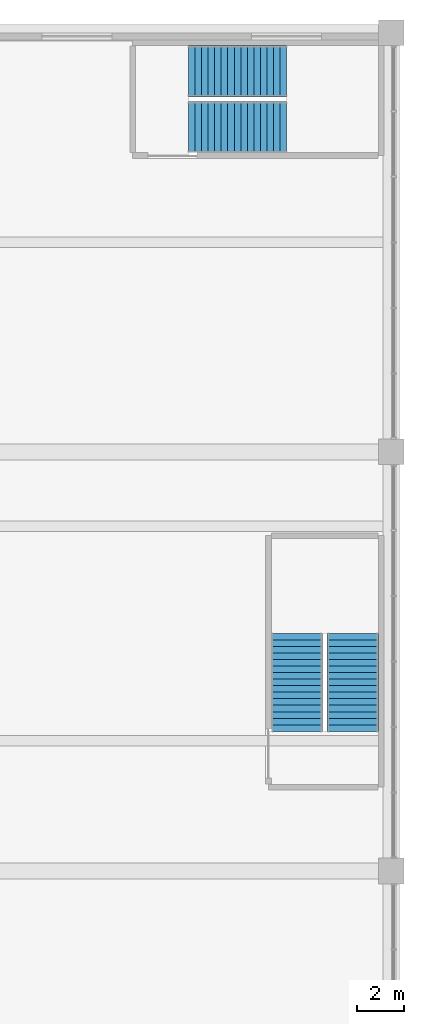
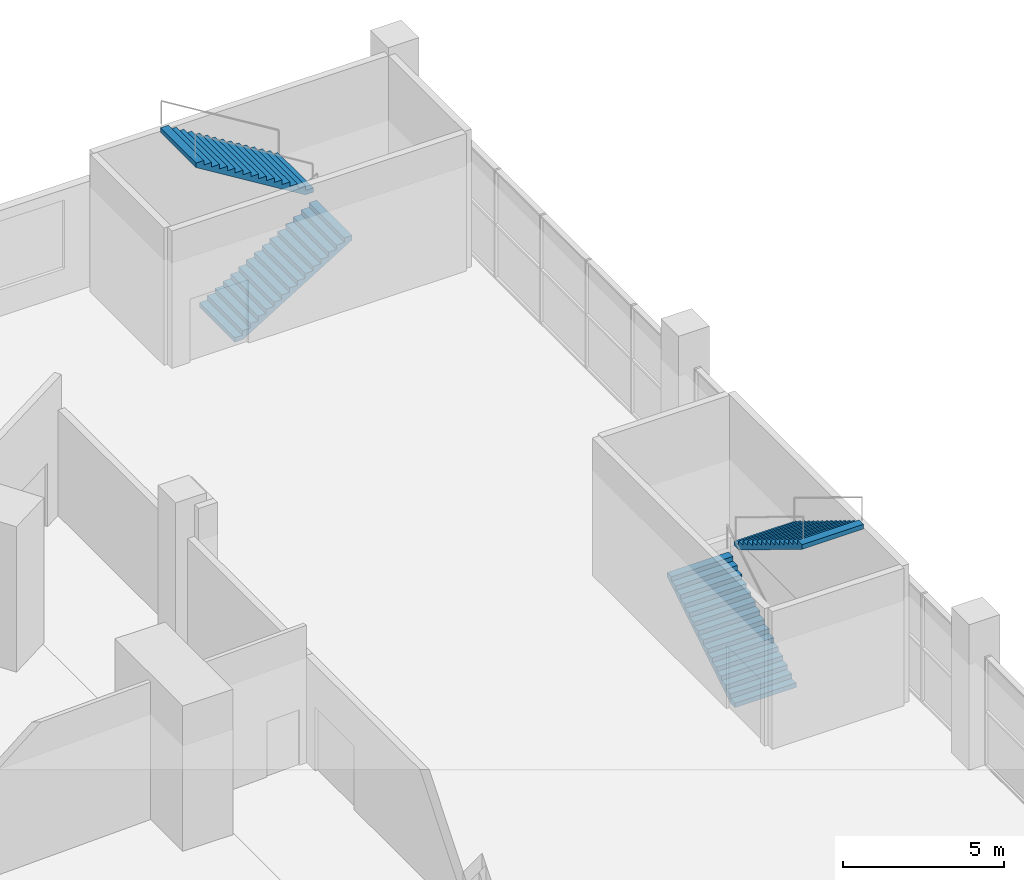
# One storey, part 14 of 16: 4 stair flights, 2 elements without a shape of their own.
"""IFC4 building model written with IfcOpenShell, lengths in metres."""

from ifc_helpers import new_model, si_unit, direction, frame, origin, place, context, subcontext, project, spatial, triangles, source, transform, mapped, material, type_object, element, aggregate, save


model = new_model("IFC4")

# Units and contexts
model_context = context("Model", 3, precision=1e-05, world=origin(), true_north=direction((0.0, 1.0)))
body_context = subcontext(model_context, "Body", "Model", "MODEL_VIEW")
ifc_project = project(units=[si_unit("LENGTHUNIT", "METRE"), si_unit("AREAUNIT", "SQUARE_METRE"), si_unit("VOLUMEUNIT", "CUBIC_METRE"), si_unit("PLANEANGLEUNIT", "RADIAN"), si_unit("MASSUNIT", "GRAM", prefix="KILO")], contexts=[model_context])

# Site, building, storey
site_placement = place(None, origin())
site = spatial("IfcSite", under=ifc_project, at=site_placement, CompositionType="ELEMENT")
building_placement = place(site_placement, origin())
building = spatial("IfcBuilding", under=site, at=building_placement, Name="Vanh Sen Convention Tower", CompositionType="ELEMENT")
storey_placement = place(building_placement, frame((0.0, 0.0, 7.5)))
storey = spatial("IfcBuildingStorey", under=building, at=storey_placement, Name="L01", CompositionType="ELEMENT", Elevation=7.5)

# Stair, stair flights
ifc_material = material(Name="Concrete C40/50", Category="concrete")
stair_type = type_object("IfcStairType", Name="Podium exit stair 2200", PredefinedType="HALF_TURN_STAIR", material=ifc_material)
stair_1_placement = place(storey_placement, origin())
stair_1 = element("IfcStair", 1, at=stair_1_placement, inside=storey, type_object=stair_type, Name="Exit stair PS1 L01", PredefinedType="HALF_TURN_STAIR")
stair_flight_type = type_object("IfcStairFlightType", Name="Podium exit stair flight 2200", PredefinedType="STRAIGHT", material=ifc_material)
shared_shape = source(origin(), body_context, "Body", "Tessellation", [
    triangles([(0.28662109375, 1.10009765625, 0.0), (0.0, 1.10009765625, 0.0), (0.0, 1.10009765625, 0.171875), (0.280029296875, 1.10009765625, 0.171875), (0.280029296875, 1.10009765625, 0.34375), (0.56005859375, 1.10009765625, 0.34375), (0.56005859375, 1.10009765625, 0.515625), (0.840087890625, 1.10009765625, 0.515625), (0.840087890625, 1.10009765625, 0.6875), (1.1201171875, 1.10009765625, 0.6875), (1.1201171875, 1.10009765625, 0.859375), (1.39990234375, 1.10009765625, 0.859375), (1.39990234375, 1.10009765625, 1.03125), (1.679931640625, 1.10009765625, 1.03125), (1.679931640625, 1.10009765625, 1.203125), (1.9599609375, 1.10009765625, 1.203125), (1.9599609375, 1.10009765625, 1.375), (2.239990234375, 1.10009765625, 1.375), (2.239990234375, 1.10009765625, 1.546875), (2.52001953125, 1.10009765625, 1.546875), (2.52001953125, 1.10009765625, 1.71875), (2.800048828125, 1.10009765625, 1.71875), (2.800048828125, 1.10009765625, 1.890625), (3.080078125, 1.10009765625, 1.890625), (3.080078125, 1.10009765625, 2.0625), (3.360107421875, 1.10009765625, 2.0625), (3.360107421875, 1.10009765625, 2.234375), (3.639892578125, 1.10009765625, 2.234375), (3.639892578125, 1.10009765625, 2.40625), (3.919921875, 1.10009765625, 2.40625), (3.919921875, 1.10009765625, 2.578125), (4.199951171875, 1.10009765625, 2.578125), (4.199951171875, 1.10009765625, 2.40234375), (0.28662109375, -1.10009765625, 0.0), (0.0, -1.10009765625, 0.0), (0.0, -1.10009765625, 0.171875), (0.280029296875, -1.10009765625, 0.171875), (0.280029296875, -1.10009765625, 0.34375), (0.56005859375, -1.10009765625, 0.34375), (0.56005859375, -1.10009765625, 0.515625), (0.840087890625, -1.10009765625, 0.515625), (0.840087890625, -1.10009765625, 0.6875), (1.1201171875, -1.10009765625, 0.6875), (1.1201171875, -1.10009765625, 0.859375), (1.39990234375, -1.10009765625, 0.859375), (1.39990234375, -1.10009765625, 1.03125), (1.679931640625, -1.10009765625, 1.03125), (1.679931640625, -1.10009765625, 1.203125), (1.9599609375, -1.10009765625, 1.203125), (1.9599609375, -1.10009765625, 1.375), (2.239990234375, -1.10009765625, 1.375), (2.239990234375, -1.10009765625, 1.546875), (2.52001953125, -1.10009765625, 1.546875), (2.52001953125, -1.10009765625, 1.71875), (2.800048828125, -1.10009765625, 1.71875), (2.800048828125, -1.10009765625, 1.890625), (3.080078125, -1.10009765625, 1.890625), (3.080078125, -1.10009765625, 2.0625), (3.360107421875, -1.10009765625, 2.0625), (3.360107421875, -1.10009765625, 2.234375), (3.639892578125, -1.10009765625, 2.234375), (3.639892578125, -1.10009765625, 2.40625), (3.919921875, -1.10009765625, 2.40625), (3.919921875, -1.10009765625, 2.578125), (4.199951171875, -1.10009765625, 2.578125), (4.199951171875, -1.10009765625, 2.40234375), (0.0, 0.0439453125, 0.0), (0.0, 0.04296875, 0.0), (0.0, 0.0419921875, 0.0), (0.0, 0.04052734375, 0.0), (0.0, 0.03955078125, 0.0), (0.0, 0.03857421875, 0.0), (0.0, 0.03759765625, 0.0), (0.0, 0.0361328125, 0.0), (0.0, 0.03515625, 0.0), (0.0, 0.0341796875, 0.0), (0.0, 0.033203125, 0.0), (0.0, 0.03173828125, 0.0), (0.0, 0.03076171875, 0.0), (0.0, 0.02978515625, 0.0), (0.0, 0.02880859375, 0.0), (0.0, 0.02734375, 0.0), (0.0, 0.0263671875, 0.0), (0.0, 0.025390625, 0.0), (0.0, 0.0244140625, 0.0), (0.0, 0.02294921875, 0.0), (0.0, 0.02197265625, 0.0), (0.0, 0.02099609375, 0.0), (0.0, 0.02001953125, 0.0), (0.0, 0.0185546875, 0.0), (0.0, 0.017578125, 0.0), (0.0, 0.0166015625, 0.0), (0.0, 0.015625, 0.0), (0.0, 0.01416015625, 0.0), (0.0, 0.01318359375, 0.0), (0.0, 0.01220703125, 0.0), (0.0, 0.01123046875, 0.0), (0.0, 0.009765625, 0.0), (0.0, 0.0087890625, 0.0), (0.0, 0.0078125, 0.0), (0.0, 0.0068359375, 0.0), (0.0, 0.00537109375, 0.0), (0.0, 0.00439453125, 0.0), (0.0, 0.00341796875, 0.0), (0.0, 0.00244140625, 0.0), (0.0, 0.0009765625, 0.0), (0.0, 0.0, 0.0), (0.0, -0.0009765625, 0.0), (0.0, -0.00244140625, 0.0), (0.0, -0.00341796875, 0.0), (0.0, -0.00439453125, 0.0), (0.0, -0.00537109375, 0.0), (0.0, -0.0068359375, 0.0), (0.0, -0.0078125, 0.0), (0.0, -0.0087890625, 0.0), (0.0, -0.009765625, 0.0), (0.0, -0.01123046875, 0.0), (0.0, -0.01220703125, 0.0), (0.0, -0.01318359375, 0.0), (0.0, -0.01416015625, 0.0), (0.0, -0.015625, 0.0), (0.0, -0.0166015625, 0.0), (0.0, -0.017578125, 0.0), (0.0, -0.0185546875, 0.0), (0.0, -0.02001953125, 0.0), (0.0, -0.02099609375, 0.0), (0.0, -0.02197265625, 0.0), (0.0, -0.02294921875, 0.0), (0.0, -0.0244140625, 0.0), (0.0, -0.025390625, 0.0), (0.0, -0.0263671875, 0.0), (0.0, -0.02734375, 0.0), (0.0, -0.02880859375, 0.0), (0.0, -0.02978515625, 0.0), (0.0, -0.03076171875, 0.0), (0.0, -0.03173828125, 0.0), (0.0, -0.033203125, 0.0), (0.0, -0.0341796875, 0.0), (0.0, -0.03515625, 0.0), (0.0, -0.0361328125, 0.0), (0.0, -0.03759765625, 0.0), (0.0, -0.03857421875, 0.0), (0.0, -0.03955078125, 0.0), (0.0, -0.04052734375, 0.0), (0.0, -0.0419921875, 0.0), (0.0, -0.04296875, 0.0), (0.0, -0.0439453125, 0.0), (0.0, 0.0439453125, 0.171875), (0.0, 0.04296875, 0.171875), (0.0, 0.0419921875, 0.171875), (0.0, 0.04052734375, 0.171875), (0.0, 0.03955078125, 0.171875), (0.0, 0.03857421875, 0.171875), (0.0, 0.03759765625, 0.171875), (0.0, 0.0361328125, 0.171875), (0.0, 0.03515625, 0.171875), (0.0, 0.0341796875, 0.171875), (0.0, 0.033203125, 0.171875), (0.0, 0.03173828125, 0.171875), (0.0, 0.03076171875, 0.171875), (0.0, 0.02978515625, 0.171875), (0.0, 0.02880859375, 0.171875), (0.0, 0.02734375, 0.171875), (0.0, 0.0263671875, 0.171875), (0.0, 0.025390625, 0.171875), (0.0, 0.0244140625, 0.171875), (0.0, 0.02294921875, 0.171875), (0.0, 0.02197265625, 0.171875), (0.0, 0.02099609375, 0.171875), (0.0, 0.02001953125, 0.171875), (0.0, 0.0185546875, 0.171875), (0.0, 0.017578125, 0.171875), (0.0, 0.0166015625, 0.171875), (0.0, 0.015625, 0.171875), (0.0, 0.01416015625, 0.171875), (0.0, 0.01318359375, 0.171875), (0.0, 0.01220703125, 0.171875), (0.0, 0.01123046875, 0.171875), (0.0, 0.009765625, 0.171875), (0.0, 0.0087890625, 0.171875), (0.0, 0.0078125, 0.171875), (0.0, 0.0068359375, 0.171875), (0.0, 0.00537109375, 0.171875), (0.0, 0.00439453125, 0.171875), (0.0, 0.00341796875, 0.171875), (0.0, 0.00244140625, 0.171875), (0.0, 0.0009765625, 0.171875), (0.0, 0.0, 0.171875), (0.0, -0.0009765625, 0.171875), (0.0, -0.00244140625, 0.171875), (0.0, -0.00341796875, 0.171875), (0.0, -0.00439453125, 0.171875), (0.0, -0.00537109375, 0.171875), (0.0, -0.0068359375, 0.171875), (0.0, -0.0078125, 0.171875), (0.0, -0.0087890625, 0.171875), (0.0, -0.009765625, 0.171875), (0.0, -0.01123046875, 0.171875), (0.0, -0.01220703125, 0.171875), (0.0, -0.01318359375, 0.171875), (0.0, -0.01416015625, 0.171875), (0.0, -0.015625, 0.171875), (0.0, -0.0166015625, 0.171875), (0.0, -0.017578125, 0.171875), (0.0, -0.0185546875, 0.171875), (0.0, -0.02001953125, 0.171875), (0.0, -0.02099609375, 0.171875), (0.0, -0.02197265625, 0.171875), (0.0, -0.02294921875, 0.171875), (0.0, -0.0244140625, 0.171875), (0.0, -0.025390625, 0.171875), (0.0, -0.0263671875, 0.171875), (0.0, -0.02734375, 0.171875), (0.0, -0.02880859375, 0.171875), (0.0, -0.02978515625, 0.171875), (0.0, -0.03076171875, 0.171875), (0.0, -0.03173828125, 0.171875), (0.0, -0.033203125, 0.171875), (0.0, -0.0341796875, 0.171875), (0.0, -0.03515625, 0.171875), (0.0, -0.0361328125, 0.171875), (0.0, -0.03759765625, 0.171875), (0.0, -0.03857421875, 0.171875), (0.0, -0.03955078125, 0.171875), (0.0, -0.04052734375, 0.171875), (0.0, -0.0419921875, 0.171875), (0.0, -0.04296875, 0.171875), (0.0, -0.0439453125, 0.171875), (0.280029296875, 0.0, 0.171875), (0.280029296875, 0.0, 0.34375), (0.56005859375, 0.0, 0.34375), (0.56005859375, 0.0, 0.515625), (0.840087890625, 0.0, 0.515625), (0.840087890625, 0.0, 0.6875), (1.1201171875, 0.0, 0.6875), (1.1201171875, 0.0, 0.859375), (1.39990234375, 0.0, 0.859375), (1.39990234375, 0.0, 1.03125), (1.679931640625, 0.0, 1.03125), (1.679931640625, 0.0, 1.203125), (1.9599609375, 0.0, 1.203125), (1.9599609375, 0.0, 1.375), (2.239990234375, 0.0, 1.375), (2.239990234375, 0.0, 1.546875), (2.52001953125, 0.0, 1.546875), (2.52001953125, 0.0, 1.71875), (2.800048828125, 0.0, 1.71875), (2.800048828125, 0.0, 1.890625), (3.080078125, 0.0, 1.890625), (3.080078125, 0.0, 2.0625), (3.360107421875, 0.0, 2.0625), (3.360107421875, 0.0, 2.234375), (3.639892578125, 0.0, 2.234375), (3.639892578125, 0.0, 2.40625), (3.919921875, 0.0, 2.40625), (3.919921875, 0.0, 2.578125), (4.199951171875, 0.0439453125, 2.578125), (4.199951171875, 0.04296875, 2.578125), (4.199951171875, 0.0419921875, 2.578125), (4.199951171875, 0.04052734375, 2.578125), (4.199951171875, 0.03955078125, 2.578125), (4.199951171875, 0.03857421875, 2.578125), (4.199951171875, 0.03759765625, 2.578125), (4.199951171875, 0.0361328125, 2.578125), (4.199951171875, 0.03515625, 2.578125), (4.199951171875, 0.0341796875, 2.578125), (4.199951171875, 0.033203125, 2.578125), (4.199951171875, 0.03173828125, 2.578125), (4.199951171875, 0.03076171875, 2.578125), (4.199951171875, 0.02978515625, 2.578125), (4.199951171875, 0.02880859375, 2.578125), (4.199951171875, 0.02734375, 2.578125), (4.199951171875, 0.0263671875, 2.578125), (4.199951171875, 0.025390625, 2.578125), (4.199951171875, 0.0244140625, 2.578125), (4.199951171875, 0.02294921875, 2.578125), (4.199951171875, 0.02197265625, 2.578125), (4.199951171875, 0.02099609375, 2.578125), (4.199951171875, 0.02001953125, 2.578125), (4.199951171875, 0.0185546875, 2.578125), (4.199951171875, 0.017578125, 2.578125), (4.199951171875, 0.0166015625, 2.578125), (4.199951171875, 0.015625, 2.578125), (4.199951171875, 0.01416015625, 2.578125), (4.199951171875, 0.01318359375, 2.578125), (4.199951171875, 0.01220703125, 2.578125), (4.199951171875, 0.01123046875, 2.578125), (4.199951171875, 0.009765625, 2.578125), (4.199951171875, 0.0087890625, 2.578125), (4.199951171875, 0.0078125, 2.578125), (4.199951171875, 0.0068359375, 2.578125), (4.199951171875, 0.00537109375, 2.578125), (4.199951171875, 0.00439453125, 2.578125), (4.199951171875, 0.00341796875, 2.578125), (4.199951171875, 0.00244140625, 2.578125), (4.199951171875, 0.0009765625, 2.578125), (4.199951171875, 0.0, 2.578125), (4.199951171875, -0.0009765625, 2.578125), (4.199951171875, -0.00244140625, 2.578125), (4.199951171875, -0.00341796875, 2.578125), (4.199951171875, -0.00439453125, 2.578125), (4.199951171875, -0.00537109375, 2.578125), (4.199951171875, -0.0068359375, 2.578125), (4.199951171875, -0.0078125, 2.578125), (4.199951171875, -0.0087890625, 2.578125), (4.199951171875, -0.009765625, 2.578125), (4.199951171875, -0.01123046875, 2.578125), (4.199951171875, -0.01220703125, 2.578125), (4.199951171875, -0.01318359375, 2.578125), (4.199951171875, -0.01416015625, 2.578125), (4.199951171875, -0.015625, 2.578125), (4.199951171875, -0.0166015625, 2.578125), (4.199951171875, -0.017578125, 2.578125), (4.199951171875, -0.0185546875, 2.578125), (4.199951171875, -0.02001953125, 2.578125), (4.199951171875, -0.02099609375, 2.578125), (4.199951171875, -0.02197265625, 2.578125), (4.199951171875, -0.02294921875, 2.578125), (4.199951171875, -0.0244140625, 2.578125), (4.199951171875, -0.025390625, 2.578125), (4.199951171875, -0.0263671875, 2.578125), (4.199951171875, -0.02734375, 2.578125), (4.199951171875, -0.02880859375, 2.578125), (4.199951171875, -0.02978515625, 2.578125), (4.199951171875, -0.03076171875, 2.578125), (4.199951171875, -0.03173828125, 2.578125), (4.199951171875, -0.033203125, 2.578125), (4.199951171875, -0.0341796875, 2.578125), (4.199951171875, -0.03515625, 2.578125), (4.199951171875, -0.0361328125, 2.578125), (4.199951171875, -0.03759765625, 2.578125), (4.199951171875, -0.03857421875, 2.578125), (4.199951171875, -0.03955078125, 2.578125), (4.199951171875, -0.04052734375, 2.578125), (4.199951171875, -0.0419921875, 2.578125), (4.199951171875, -0.04296875, 2.578125), (4.199951171875, -0.0439453125, 2.578125), (4.199951171875, 0.0439453125, 2.40234375), (4.199951171875, 0.04296875, 2.40234375), (4.199951171875, 0.0419921875, 2.40234375), (4.199951171875, 0.04052734375, 2.40234375), (4.199951171875, 0.03955078125, 2.40234375), (4.199951171875, 0.03857421875, 2.40234375), (4.199951171875, 0.03759765625, 2.40234375), (4.199951171875, 0.0361328125, 2.40234375), (4.199951171875, 0.03515625, 2.40234375), (4.199951171875, 0.0341796875, 2.40234375), (4.199951171875, 0.033203125, 2.40234375), (4.199951171875, 0.03173828125, 2.40234375), (4.199951171875, 0.03076171875, 2.40234375), (4.199951171875, 0.02978515625, 2.40234375), (4.199951171875, 0.02880859375, 2.40234375), (4.199951171875, 0.02734375, 2.40234375), (4.199951171875, 0.0263671875, 2.40234375), (4.199951171875, 0.025390625, 2.40234375), (4.199951171875, 0.0244140625, 2.40234375), (4.199951171875, 0.02294921875, 2.40234375), (4.199951171875, 0.02197265625, 2.40234375), (4.199951171875, 0.02099609375, 2.40234375), (4.199951171875, 0.02001953125, 2.40234375), (4.199951171875, 0.0185546875, 2.40234375), (4.199951171875, 0.017578125, 2.40234375), (4.199951171875, 0.0166015625, 2.40234375), (4.199951171875, 0.015625, 2.40234375), (4.199951171875, 0.01416015625, 2.40234375), (4.199951171875, 0.01318359375, 2.40234375), (4.199951171875, 0.01220703125, 2.40234375), (4.199951171875, 0.01123046875, 2.40234375), (4.199951171875, 0.009765625, 2.40234375), (4.199951171875, 0.0087890625, 2.40234375), (4.199951171875, 0.0078125, 2.40234375), (4.199951171875, 0.0068359375, 2.40234375), (4.199951171875, 0.00537109375, 2.40234375), (4.199951171875, 0.00439453125, 2.40234375), (4.199951171875, 0.00341796875, 2.40234375), (4.199951171875, 0.00244140625, 2.40234375), (4.199951171875, 0.0009765625, 2.40234375), (4.199951171875, 0.0, 2.40234375), (4.199951171875, -0.0009765625, 2.40234375), (4.199951171875, -0.00244140625, 2.40234375), (4.199951171875, -0.00341796875, 2.40234375), (4.199951171875, -0.00439453125, 2.40234375), (4.199951171875, -0.00537109375, 2.40234375), (4.199951171875, -0.0068359375, 2.40234375), (4.199951171875, -0.0078125, 2.40234375), (4.199951171875, -0.0087890625, 2.40234375), (4.199951171875, -0.009765625, 2.40234375), (4.199951171875, -0.01123046875, 2.40234375), (4.199951171875, -0.01220703125, 2.40234375), (4.199951171875, -0.01318359375, 2.40234375), (4.199951171875, -0.01416015625, 2.40234375), (4.199951171875, -0.015625, 2.40234375), (4.199951171875, -0.0166015625, 2.40234375), (4.199951171875, -0.017578125, 2.40234375), (4.199951171875, -0.0185546875, 2.40234375), (4.199951171875, -0.02001953125, 2.40234375), (4.199951171875, -0.02099609375, 2.40234375), (4.199951171875, -0.02197265625, 2.40234375), (4.199951171875, -0.02294921875, 2.40234375), (4.199951171875, -0.0244140625, 2.40234375), (4.199951171875, -0.025390625, 2.40234375), (4.199951171875, -0.0263671875, 2.40234375), (4.199951171875, -0.02734375, 2.40234375), (4.199951171875, -0.02880859375, 2.40234375), (4.199951171875, -0.02978515625, 2.40234375), (4.199951171875, -0.03076171875, 2.40234375), (4.199951171875, -0.03173828125, 2.40234375), (4.199951171875, -0.033203125, 2.40234375), (4.199951171875, -0.0341796875, 2.40234375), (4.199951171875, -0.03515625, 2.40234375), (4.199951171875, -0.0361328125, 2.40234375), (4.199951171875, -0.03759765625, 2.40234375), (4.199951171875, -0.03857421875, 2.40234375), (4.199951171875, -0.03955078125, 2.40234375), (4.199951171875, -0.04052734375, 2.40234375), (4.199951171875, -0.0419921875, 2.40234375), (4.199951171875, -0.04296875, 2.40234375), (4.199951171875, -0.0439453125, 2.40234375), (0.28662109375, 0.0, 0.0)], [[1, 2, 3], [1, 3, 4], [1, 4, 5], [1, 5, 6], [6, 7, 8], [1, 6, 8], [8, 9, 10], [1, 8, 10], [10, 11, 12], [1, 10, 12], [12, 13, 14], [1, 12, 14], [14, 15, 16], [1, 14, 16], [16, 17, 18], [1, 16, 18], [18, 19, 20], [1, 18, 20], [20, 21, 22], [1, 20, 22], [22, 23, 24], [1, 22, 24], [24, 25, 26], [1, 24, 26], [26, 27, 28], [1, 26, 28], [28, 29, 30], [1, 28, 30], [30, 31, 32], [1, 30, 32], [32, 33, 1], [34, 36, 35], [34, 37, 36], [34, 38, 37], [34, 39, 38], [39, 41, 40], [34, 41, 39], [41, 43, 42], [34, 43, 41], [43, 45, 44], [34, 45, 43], [45, 47, 46], [34, 47, 45], [47, 49, 48], [34, 49, 47], [49, 51, 50], [34, 51, 49], [51, 53, 52], [34, 53, 51], [53, 55, 54], [34, 55, 53], [55, 57, 56], [34, 57, 55], [57, 59, 58], [34, 59, 57], [59, 61, 60], [34, 61, 59], [61, 63, 62], [34, 63, 61], [63, 65, 64], [34, 65, 63], [65, 34, 66], [2, 148, 3], [2, 67, 148], [67, 149, 148], [67, 68, 149], [68, 150, 149], [68, 69, 150], [69, 151, 150], [69, 70, 151], [70, 152, 151], [70, 71, 152], [71, 153, 152], [71, 72, 153], [72, 154, 153], [72, 73, 154], [73, 155, 154], [73, 74, 155], [74, 156, 155], [74, 75, 156], [75, 157, 156], [75, 76, 157], [76, 158, 157], [76, 77, 158], [77, 159, 158], [77, 78, 159], [78, 160, 159], [78, 79, 160], [79, 161, 160], [79, 80, 161], [80, 162, 161], [80, 81, 162], [81, 163, 162], [81, 82, 163], [82, 164, 163], [82, 83, 164], [83, 165, 164], [83, 84, 165], [84, 166, 165], [84, 85, 166], [85, 167, 166], [85, 86, 167], [86, 168, 167], [86, 87, 168], [87, 169, 168], [87, 88, 169], [88, 170, 169], [88, 89, 170], [89, 171, 170], [89, 90, 171], [90, 172, 171], [90, 91, 172], [91, 173, 172], [91, 92, 173], [92, 174, 173], [92, 93, 174], [93, 175, 174], [93, 94, 175], [94, 176, 175], [94, 95, 176], [95, 177, 176], [95, 96, 177], [96, 178, 177], [96, 97, 178], [97, 179, 178], [97, 98, 179], [98, 180, 179], [98, 99, 180], [99, 181, 180], [99, 100, 181], [100, 182, 181], [100, 101, 182], [101, 183, 182], [101, 102, 183], [102, 184, 183], [102, 103, 184], [103, 185, 184], [103, 104, 185], [104, 186, 185], [104, 105, 186], [105, 187, 186], [105, 106, 187], [106, 188, 187], [106, 107, 188], [107, 108, 188], [188, 108, 189], [108, 109, 189], [189, 109, 190], [109, 110, 190], [190, 110, 191], [110, 111, 191], [191, 111, 192], [111, 112, 192], [192, 112, 193], [112, 113, 193], [193, 113, 194], [113, 114, 194], [194, 114, 195], [114, 115, 195], [195, 115, 196], [115, 116, 196], [196, 116, 197], [116, 117, 197], [197, 117, 198], [117, 118, 198], [198, 118, 199], [118, 119, 199], [199, 119, 200], [119, 120, 200], [200, 120, 201], [120, 121, 201], [201, 121, 202], [121, 122, 202], [202, 122, 203], [122, 123, 203], [203, 123, 204], [123, 124, 204], [204, 124, 205], [124, 125, 205], [205, 125, 206], [125, 126, 206], [206, 126, 207], [126, 127, 207], [207, 127, 208], [127, 128, 208], [208, 128, 209], [128, 129, 209], [209, 129, 210], [129, 130, 210], [210, 130, 211], [130, 131, 211], [211, 131, 212], [131, 132, 212], [212, 132, 213], [132, 133, 213], [213, 133, 214], [133, 134, 214], [214, 134, 215], [134, 135, 215], [215, 135, 216], [135, 136, 216], [216, 136, 217], [136, 137, 217], [217, 137, 218], [137, 138, 218], [218, 138, 219], [138, 139, 219], [219, 139, 220], [139, 140, 220], [220, 140, 221], [140, 141, 221], [221, 141, 222], [141, 142, 222], [222, 142, 223], [142, 143, 223], [223, 143, 224], [143, 144, 224], [224, 144, 225], [144, 145, 225], [225, 145, 226], [145, 146, 226], [226, 146, 227], [146, 147, 227], [227, 147, 228], [147, 35, 228], [228, 35, 36], [4, 3, 148], [4, 148, 149], [4, 149, 150], [4, 150, 151], [4, 151, 152], [4, 152, 153], [4, 153, 154], [4, 154, 155], [4, 155, 156], [4, 156, 157], [4, 157, 158], [4, 158, 159], [4, 159, 160], [4, 160, 161], [4, 161, 162], [4, 162, 163], [4, 163, 164], [4, 164, 165], [4, 165, 166], [4, 166, 167], [4, 167, 168], [4, 168, 169], [4, 169, 170], [4, 170, 171], [4, 171, 172], [4, 172, 173], [4, 173, 174], [4, 174, 175], [4, 175, 176], [4, 176, 177], [4, 177, 178], [4, 178, 179], [4, 179, 180], [4, 180, 181], [4, 181, 182], [4, 182, 183], [4, 183, 184], [4, 184, 185], [4, 185, 186], [4, 186, 187], [4, 187, 188], [37, 188, 189], [37, 189, 190], [37, 190, 191], [37, 191, 192], [37, 192, 193], [37, 193, 194], [37, 194, 195], [37, 195, 196], [37, 196, 197], [37, 197, 198], [37, 198, 199], [37, 199, 200], [37, 200, 201], [37, 201, 202], [37, 202, 203], [37, 203, 204], [37, 204, 205], [37, 205, 206], [37, 206, 207], [37, 207, 208], [37, 208, 209], [37, 209, 210], [37, 210, 211], [37, 211, 212], [37, 212, 213], [37, 213, 214], [37, 214, 215], [37, 215, 216], [37, 216, 217], [37, 217, 218], [37, 218, 219], [37, 219, 220], [37, 220, 221], [37, 221, 222], [37, 222, 223], [37, 223, 224], [37, 224, 225], [37, 225, 226], [37, 226, 227], [37, 227, 228], [37, 228, 36], [4, 188, 229], [37, 229, 188], [4, 230, 5], [4, 229, 230], [229, 37, 230], [230, 37, 38], [5, 231, 6], [5, 230, 231], [230, 38, 231], [231, 38, 39], [6, 232, 7], [6, 231, 232], [231, 39, 232], [232, 39, 40], [7, 233, 8], [7, 232, 233], [232, 40, 233], [233, 40, 41], [8, 234, 9], [8, 233, 234], [233, 41, 234], [234, 41, 42], [9, 235, 10], [9, 234, 235], [234, 42, 235], [235, 42, 43], [10, 236, 11], [10, 235, 236], [235, 43, 236], [236, 43, 44], [11, 237, 12], [11, 236, 237], [236, 44, 237], [237, 44, 45], [12, 238, 13], [12, 237, 238], [237, 45, 238], [238, 45, 46], [13, 239, 14], [13, 238, 239], [238, 46, 239], [239, 46, 47], [14, 240, 15], [14, 239, 240], [239, 47, 240], [240, 47, 48], [15, 241, 16], [15, 240, 241], [240, 48, 241], [241, 48, 49], [16, 242, 17], [16, 241, 242], [241, 49, 242], [242, 49, 50], [17, 243, 18], [17, 242, 243], [242, 50, 243], [243, 50, 51], [18, 244, 19], [18, 243, 244], [243, 51, 244], [244, 51, 52], [19, 245, 20], [19, 244, 245], [244, 52, 245], [245, 52, 53], [20, 246, 21], [20, 245, 246], [245, 53, 246], [246, 53, 54], [21, 247, 22], [21, 246, 247], [246, 54, 247], [247, 54, 55], [22, 248, 23], [22, 247, 248], [247, 55, 248], [248, 55, 56], [23, 249, 24], [23, 248, 249], [248, 56, 249], [249, 56, 57], [24, 250, 25], [24, 249, 250], [249, 57, 250], [250, 57, 58], [25, 251, 26], [25, 250, 251], [250, 58, 251], [251, 58, 59], [26, 252, 27], [26, 251, 252], [251, 59, 252], [252, 59, 60], [27, 253, 28], [27, 252, 253], [252, 60, 253], [253, 60, 61], [28, 254, 29], [28, 253, 254], [253, 61, 254], [254, 61, 62], [29, 255, 30], [29, 254, 255], [254, 62, 255], [255, 62, 63], [30, 256, 31], [30, 255, 256], [255, 63, 256], [256, 63, 64], [31, 257, 32], [31, 258, 257], [31, 259, 258], [31, 260, 259], [31, 261, 260], [31, 262, 261], [31, 263, 262], [31, 264, 263], [31, 265, 264], [31, 266, 265], [31, 267, 266], [31, 268, 267], [31, 269, 268], [31, 270, 269], [31, 271, 270], [31, 272, 271], [31, 273, 272], [31, 274, 273], [31, 275, 274], [31, 276, 275], [31, 277, 276], [31, 278, 277], [31, 279, 278], [31, 280, 279], [31, 281, 280], [31, 282, 281], [31, 283, 282], [31, 284, 283], [31, 285, 284], [31, 286, 285], [31, 287, 286], [31, 288, 287], [31, 289, 288], [31, 290, 289], [31, 291, 290], [31, 292, 291], [31, 293, 292], [31, 294, 293], [31, 295, 294], [31, 296, 295], [31, 297, 296], [64, 298, 297], [64, 299, 298], [64, 300, 299], [64, 301, 300], [64, 302, 301], [64, 303, 302], [64, 304, 303], [64, 305, 304], [64, 306, 305], [64, 307, 306], [64, 308, 307], [64, 309, 308], [64, 310, 309], [64, 311, 310], [64, 312, 311], [64, 313, 312], [64, 314, 313], [64, 315, 314], [64, 316, 315], [64, 317, 316], [64, 318, 317], [64, 319, 318], [64, 320, 319], [64, 321, 320], [64, 322, 321], [64, 323, 322], [64, 324, 323], [64, 325, 324], [64, 326, 325], [64, 327, 326], [64, 328, 327], [64, 329, 328], [64, 330, 329], [64, 331, 330], [64, 332, 331], [64, 333, 332], [64, 334, 333], [64, 335, 334], [64, 336, 335], [64, 337, 336], [64, 65, 337], [31, 256, 297], [64, 297, 256], [32, 338, 33], [32, 257, 338], [257, 339, 338], [257, 258, 339], [258, 340, 339], [258, 259, 340], [259, 341, 340], [259, 260, 341], [260, 342, 341], [260, 261, 342], [261, 343, 342], [261, 262, 343], [262, 344, 343], [262, 263, 344], [263, 345, 344], [263, 264, 345], [264, 346, 345], [264, 265, 346], [265, 347, 346], [265, 266, 347], [266, 348, 347], [266, 267, 348], [267, 349, 348], [267, 268, 349], [268, 350, 349], [268, 269, 350], [269, 351, 350], [269, 270, 351], [270, 352, 351], [270, 271, 352], [271, 353, 352], [271, 272, 353], [272, 354, 353], [272, 273, 354], [273, 355, 354], [273, 274, 355], [274, 356, 355], [274, 275, 356], [275, 357, 356], [275, 276, 357], [276, 358, 357], [276, 277, 358], [277, 359, 358], [277, 278, 359], [278, 360, 359], [278, 279, 360], [279, 361, 360], [279, 280, 361], [280, 362, 361], [280, 281, 362], [281, 363, 362], [281, 282, 363], [282, 364, 363], [282, 283, 364], [283, 365, 364], [283, 284, 365], [284, 366, 365], [284, 285, 366], [285, 367, 366], [285, 286, 367], [286, 368, 367], [286, 287, 368], [287, 369, 368], [287, 288, 369], [288, 370, 369], [288, 289, 370], [289, 371, 370], [289, 290, 371], [290, 372, 371], [290, 291, 372], [291, 373, 372], [291, 292, 373], [292, 374, 373], [292, 293, 374], [293, 375, 374], [293, 294, 375], [294, 376, 375], [294, 295, 376], [295, 377, 376], [295, 296, 377], [296, 378, 377], [296, 297, 378], [297, 298, 378], [378, 298, 379], [298, 299, 379], [379, 299, 380], [299, 300, 380], [380, 300, 381], [300, 301, 381], [381, 301, 382], [301, 302, 382], [382, 302, 383], [302, 303, 383], [383, 303, 384], [303, 304, 384], [384, 304, 385], [304, 305, 385], [385, 305, 386], [305, 306, 386], [386, 306, 387], [306, 307, 387], [387, 307, 388], [307, 308, 388], [388, 308, 389], [308, 309, 389], [389, 309, 390], [309, 310, 390], [390, 310, 391], [310, 311, 391], [391, 311, 392], [311, 312, 392], [392, 312, 393], [312, 313, 393], [393, 313, 394], [313, 314, 394], [394, 314, 395], [314, 315, 395], [395, 315, 396], [315, 316, 396], [396, 316, 397], [316, 317, 397], [397, 317, 398], [317, 318, 398], [398, 318, 399], [318, 319, 399], [399, 319, 400], [319, 320, 400], [400, 320, 401], [320, 321, 401], [401, 321, 402], [321, 322, 402], [402, 322, 403], [322, 323, 403], [403, 323, 404], [323, 324, 404], [404, 324, 405], [324, 325, 405], [405, 325, 406], [325, 326, 406], [406, 326, 407], [326, 327, 407], [407, 327, 408], [327, 328, 408], [408, 328, 409], [328, 329, 409], [409, 329, 410], [329, 330, 410], [410, 330, 411], [330, 331, 411], [411, 331, 412], [331, 332, 412], [412, 332, 413], [332, 333, 413], [413, 333, 414], [333, 334, 414], [414, 334, 415], [334, 335, 415], [415, 335, 416], [335, 336, 416], [416, 336, 417], [336, 337, 417], [417, 337, 418], [337, 65, 418], [418, 65, 66], [1, 33, 338], [1, 338, 339], [1, 339, 340], [1, 340, 341], [1, 341, 342], [1, 342, 343], [1, 343, 344], [1, 344, 345], [1, 345, 346], [1, 346, 347], [1, 347, 348], [1, 348, 349], [1, 349, 350], [1, 350, 351], [1, 351, 352], [1, 352, 353], [1, 353, 354], [1, 354, 355], [1, 355, 356], [1, 356, 357], [1, 357, 358], [1, 358, 359], [1, 359, 360], [1, 360, 361], [1, 361, 362], [1, 362, 363], [1, 363, 364], [1, 364, 365], [1, 365, 366], [1, 366, 367], [1, 367, 368], [1, 368, 369], [1, 369, 370], [1, 370, 371], [1, 371, 372], [1, 372, 373], [1, 373, 374], [1, 374, 375], [1, 375, 376], [1, 376, 377], [1, 377, 378], [34, 378, 379], [34, 379, 380], [34, 380, 381], [34, 381, 382], [34, 382, 383], [34, 383, 384], [34, 384, 385], [34, 385, 386], [34, 386, 387], [34, 387, 388], [34, 388, 389], [34, 389, 390], [34, 390, 391], [34, 391, 392], [34, 392, 393], [34, 393, 394], [34, 394, 395], [34, 395, 396], [34, 396, 397], [34, 397, 398], [34, 398, 399], [34, 399, 400], [34, 400, 401], [34, 401, 402], [34, 402, 403], [34, 403, 404], [34, 404, 405], [34, 405, 406], [34, 406, 407], [34, 407, 408], [34, 408, 409], [34, 409, 410], [34, 410, 411], [34, 411, 412], [34, 412, 413], [34, 413, 414], [34, 414, 415], [34, 415, 416], [34, 416, 417], [34, 417, 418], [34, 418, 66], [1, 378, 419], [34, 419, 378], [1, 67, 2], [1, 68, 67], [1, 69, 68], [1, 70, 69], [1, 71, 70], [1, 72, 71], [1, 73, 72], [1, 74, 73], [1, 75, 74], [1, 76, 75], [1, 77, 76], [1, 78, 77], [1, 79, 78], [1, 80, 79], [1, 81, 80], [1, 82, 81], [1, 83, 82], [1, 84, 83], [1, 85, 84], [1, 86, 85], [1, 87, 86], [1, 88, 87], [1, 89, 88], [1, 90, 89], [1, 91, 90], [1, 92, 91], [1, 93, 92], [1, 94, 93], [1, 95, 94], [1, 96, 95], [1, 97, 96], [1, 98, 97], [1, 99, 98], [1, 100, 99], [1, 101, 100], [1, 102, 101], [1, 103, 102], [1, 104, 103], [1, 105, 104], [1, 106, 105], [1, 107, 106], [34, 108, 107], [34, 109, 108], [34, 110, 109], [34, 111, 110], [34, 112, 111], [34, 113, 112], [34, 114, 113], [34, 115, 114], [34, 116, 115], [34, 117, 116], [34, 118, 117], [34, 119, 118], [34, 120, 119], [34, 121, 120], [34, 122, 121], [34, 123, 122], [34, 124, 123], [34, 125, 124], [34, 126, 125], [34, 127, 126], [34, 128, 127], [34, 129, 128], [34, 130, 129], [34, 131, 130], [34, 132, 131], [34, 133, 132], [34, 134, 133], [34, 135, 134], [34, 136, 135], [34, 137, 136], [34, 138, 137], [34, 139, 138], [34, 140, 139], [34, 141, 140], [34, 142, 141], [34, 143, 142], [34, 144, 143], [34, 145, 144], [34, 146, 145], [34, 147, 146], [34, 35, 147], [1, 419, 107], [34, 107, 419]], closed=True),
])
stair_flight_1_placement = place(storey_placement, frame((36.300048828125, 22.949951171875, 0.0), z_axis=(0.0, 0.0, 1.0), x_axis=(1.0, 0.0, 0.0)))
stair_flight_1 = element("IfcStairFlight", 2, at=stair_flight_1_placement, type_object=stair_flight_type, Name="PS1 flight 1", NumberOfRisers=16, NumberOfTreads=15, PredefinedType="STRAIGHT", RiserHeight=0.171875, TreadLength=0.28, context=body_context, shape_type="MappedRepresentation", body=[
    mapped(shared_shape, transform((0.0, 0.0, 0.0))),
])
stair_flight_2_placement = place(storey_placement, frame((40.5, 25.35009765625, 2.75), z_axis=(0.0, 0.0, 1.0), x_axis=(-1.0, 0.0, 0.0)))
stair_flight_2 = element("IfcStairFlight", 3, at=stair_flight_2_placement, type_object=stair_flight_type, Name="PS1 flight 2", NumberOfRisers=16, NumberOfTreads=15, PredefinedType="STRAIGHT", RiserHeight=0.171875, TreadLength=0.28, context=body_context, shape_type="MappedRepresentation", body=[
    mapped(shared_shape, transform((0.0, 0.0, 0.0))),
])
aggregate(stair_1, [stair_flight_1, stair_flight_2])

stair_2_placement = place(storey_placement, origin())
stair_2 = element("IfcStair", 4, at=stair_2_placement, inside=storey, type_object=stair_type, Name="Exit stair PS3 L01", PredefinedType="HALF_TURN_STAIR")
stair_flight_3_placement = place(storey_placement, frame((40.949951171875, -3.0, 0.0), z_axis=(0.0, 0.0, 1.0), x_axis=(0.0, 1.0, 0.0)))
stair_flight_3 = element("IfcStairFlight", 5, at=stair_flight_3_placement, type_object=stair_flight_type, Name="PS3 flight 1", NumberOfRisers=16, NumberOfTreads=15, PredefinedType="STRAIGHT", RiserHeight=0.171875, TreadLength=0.28, context=body_context, shape_type="MappedRepresentation", body=[
    mapped(shared_shape, transform((0.0, 0.0, 0.0))),
])
stair_flight_4_placement = place(storey_placement, frame((43.35009765625, 1.199951171875, 2.75), z_axis=(0.0, 0.0, 1.0), x_axis=(0.0, -1.0, 0.0)))
stair_flight_4 = element("IfcStairFlight", 6, at=stair_flight_4_placement, type_object=stair_flight_type, Name="PS3 flight 2", NumberOfRisers=16, NumberOfTreads=15, PredefinedType="STRAIGHT", RiserHeight=0.171875, TreadLength=0.28, context=body_context, shape_type="MappedRepresentation", body=[
    mapped(shared_shape, transform((0.0, 0.0, 0.0))),
])
aggregate(stair_2, [stair_flight_3, stair_flight_4])

save(model, "model.ifc")
